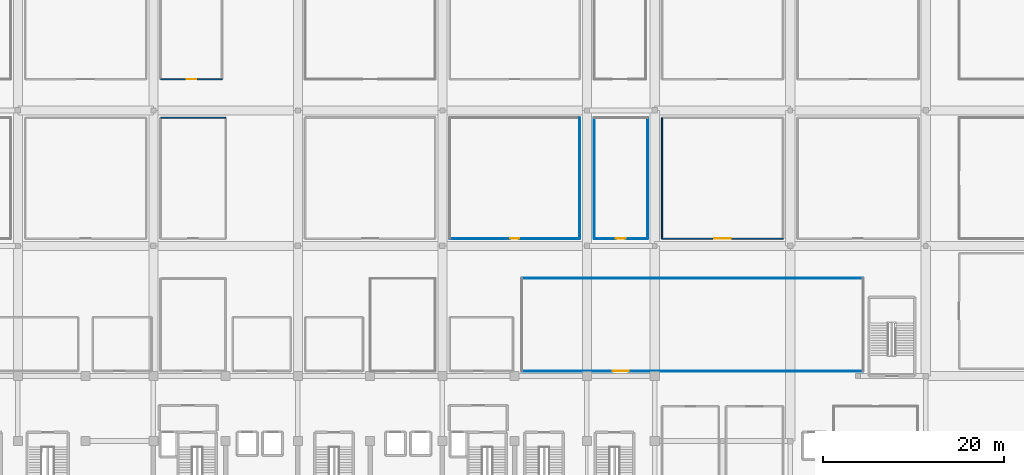
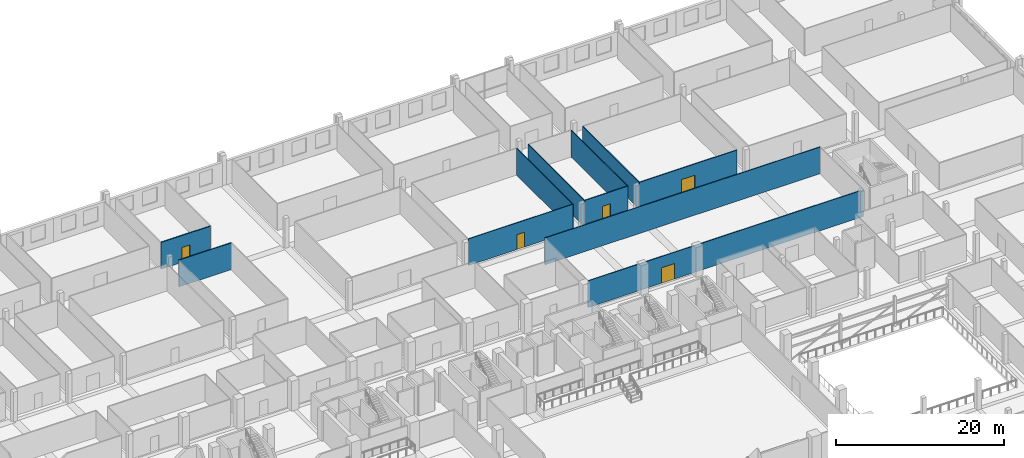
# One storey, part 50 of 68: 11 walls, 5 doors, 5 openings.
"""IFC4 building model written with IfcOpenShell, lengths in metres."""

from ifc_helpers import new_model, si_unit, direction, frame, frame_2d, origin, place, context, subcontext, project, spatial, rectangle, extrude, material, layer, layer_set, type_object, element, fill, save


model = new_model("IFC4")

# Units and contexts
model_context = context("Model", 3, precision=1e-05, world=origin(), true_north=direction((0.0, 1.0)))
body_context = subcontext(model_context, "Body", "Model", "MODEL_VIEW")
ifc_project = project(units=[si_unit("LENGTHUNIT", "METRE"), si_unit("AREAUNIT", "SQUARE_METRE"), si_unit("VOLUMEUNIT", "CUBIC_METRE"), si_unit("PLANEANGLEUNIT", "RADIAN"), si_unit("MASSUNIT", "GRAM", prefix="KILO")], contexts=[model_context])

# Site, building, storey
site_placement = place(None, origin())
site = spatial("IfcSite", under=ifc_project, at=site_placement, CompositionType="ELEMENT")
building_placement = place(site_placement, origin())
building = spatial("IfcBuilding", under=site, at=building_placement, Name="Akrevak Sports Hall", CompositionType="ELEMENT")
storey_placement = place(building_placement, frame((0.0, 0.0, 9.39990234375)))
storey = spatial("IfcBuildingStorey", under=building, at=storey_placement, Name="L02", CompositionType="ELEMENT", Elevation=9.39990234375)

# Wall, opening, door
ifc_material_1 = material(Name="Sanitary Cubicle Partition", Category="gypsum")
ifc_layer_1 = layer(ifc_material_1, 0.10009765625, Name="Sanitary Cubicle Partition")
ifc_layer_set_1 = layer_set([ifc_layer_1], Name="Sanitary Cubicle Partition")
wall_type_1 = type_object("IfcWallType", Name="ARC-WL-PRT-100", PredefinedType="PARTITIONING", material=ifc_layer_set_1)
wall_1_placement = place(storey_placement, frame((92.800048828125, 84.800048828125, 0.0), z_axis=(0.0, 0.0, 1.0), x_axis=(1.0, 0.0, 0.0)))
wall_1 = element("IfcWall", 1, at=wall_1_placement, inside=storey, type_object=wall_type_1, Name="Interior Partition Sports Federation Training Office L02-8 (S)", PredefinedType="PARTITIONING", context=body_context, shape_type="SweptSolid", body=[
    extrude(rectangle(XDim=14.39990234375, YDim=0.10009765625, at=frame_2d((7.199951171875, 0.0))), origin(), (0.0, 0.0, 1.0), 3.880126953125),
])
opening_1_placement = place(wall_1_placement, frame((6.699951171875, 0.0, 0.0)))
opening_1 = element("IfcOpeningElement", 2, at=opening_1_placement, cuts=wall_1, Name="Opening ID-06", PredefinedType="OPENING", context=body_context, shape_type="SweptSolid", body=[
    extrude(rectangle(XDim=1.0, YDim=2.14990234375, at=frame_2d((0.5, 1.074951171875))), frame((0.0, 0.06201171875, 0.0), z_axis=(0.0, -1.0, 0.0), x_axis=(1.0, 0.0, 0.0)), (0.0, 0.0, 1.0), 0.1240234375),
])
ifc_material_2 = material(Name="Hardwood Oak Acoustic Leaf", Category="wood")
door_type_1 = type_object("IfcDoorType", Name="ARC-DR-OFF-100x215", OperationType="NOTDEFINED", PredefinedType="DOOR", material=ifc_material_2)
door_1_placement = place(opening_1_placement, frame((1.0, 0.0, 0.0), z_axis=(0.0, 0.0, 1.0), x_axis=(-1.0, 0.0, 0.0)))
door_1 = element("IfcDoor", 3, at=door_1_placement, inside=storey, type_object=door_type_1, Name="Door to Sports Federation Training Office L02-8", OperationType="SINGLE_SWING_RIGHT", OverallHeight=2.14990234375, OverallWidth=1.0, PredefinedType="DOOR", context=body_context, shape_type="SweptSolid", body=[
    extrude(rectangle(XDim=1.0, YDim=2.14990234375, at=frame_2d((0.5, 1.074951171875))), frame((0.0, 0.02490234375, 0.0), z_axis=(0.0, -1.0, 0.0), x_axis=(1.0, 0.0, 0.0)), (0.0, 0.0, 1.0), 0.050048828125),
])
fill(opening_1, door_1)

# Wall
wall_2_placement = place(storey_placement, frame((107.199951171875, 84.800048828125, 0.0), z_axis=(0.0, 0.0, 1.0), x_axis=(0.0, 1.0, 0.0)))
element("IfcWall", 4, at=wall_2_placement, inside=storey, type_object=wall_type_1, Name="Interior Partition Sports Federation Training Office L02-8 (E)", PredefinedType="PARTITIONING", context=body_context, shape_type="SweptSolid", body=[
    extrude(rectangle(XDim=13.39990234375, YDim=0.10009765625, at=frame_2d((6.699951171875, 0.0))), origin(), (0.0, 0.0, 1.0), 3.880126953125),
])

# Wall, opening, door
ifc_material_3 = material(Name="Lightweight Office Partition", Category="gypsum")
ifc_layer_2 = layer(ifc_material_3, 0.110107421875, Name="Lightweight Office Partition")
ifc_layer_set_2 = layer_set([ifc_layer_2], Name="Lightweight Office Partition")
wall_type_2 = type_object("IfcWallType", Name="ARC-WL-PRT-110", PredefinedType="PARTITIONING", material=ifc_layer_set_2)
wall_3_placement = place(storey_placement, frame((108.800048828125, 84.800048828125, 0.0), z_axis=(0.0, 0.0, 1.0), x_axis=(1.0, 0.0, 0.0)))
wall_3 = element("IfcWall", 5, at=wall_3_placement, inside=storey, type_object=wall_type_2, Name="Interior Partition Sports Clinic Recovery & Physiotherapy Room L02-9 (S)", PredefinedType="PARTITIONING", context=body_context, shape_type="SweptSolid", body=[
    extrude(rectangle(XDim=5.89990234375, YDim=0.110107421875, at=frame_2d((2.949951171875, 0.0))), origin(), (0.0, 0.0, 1.0), 3.880126953125),
])
opening_2_placement = place(wall_3_placement, frame((2.39990234375, 0.0, 0.0)))
opening_2 = element("IfcOpeningElement", 6, at=opening_2_placement, cuts=wall_3, Name="Opening ID-04", PredefinedType="OPENING", context=body_context, shape_type="SweptSolid", body=[
    extrude(rectangle(XDim=1.10009765625, YDim=2.14990234375, at=frame_2d((0.550048828125, 1.074951171875))), frame((0.0, 0.06689453125, 0.0), z_axis=(0.0, -1.0, 0.0), x_axis=(1.0, 0.0, 0.0)), (0.0, 0.0, 1.0), 0.134033203125),
])
door_type_2 = type_object("IfcDoorType", Name="ARC-DR-OFF-110x215", OperationType="NOTDEFINED", PredefinedType="DOOR", material=ifc_material_2)
door_2_placement = place(opening_2_placement, origin())
door_2 = element("IfcDoor", 7, at=door_2_placement, inside=storey, type_object=door_type_2, Name="Door to Sports Clinic Recovery & Physiotherapy Room L02-9", OperationType="SINGLE_SWING_LEFT", OverallHeight=2.14990234375, OverallWidth=1.10009765625, PredefinedType="DOOR", context=body_context, shape_type="SweptSolid", body=[
    extrude(rectangle(XDim=1.10009765625, YDim=2.14990234375, at=frame_2d((0.550048828125, 1.074951171875))), frame((0.0, 0.02490234375, 0.0), z_axis=(0.0, -1.0, 0.0), x_axis=(1.0, 0.0, 0.0)), (0.0, 0.0, 1.0), 0.050048828125),
])
fill(opening_2, door_2)

# Walls
for number, where, z_axis, x_axis, name in (
    (8, (108.800048828125, 84.800048828125, 0.0), (0.0, 0.0, 1.0), (0.0, 1.0, 0.0), "Interior Partition Sports Clinic Recovery & Physiotherapy Room L02-9 (W)"),
    (9, (114.699951171875, 84.800048828125, 0.0), (0.0, 0.0, 1.0), (0.0, 1.0, 0.0), "Interior Partition Sports Clinic Recovery & Physiotherapy Room L02-9 (E)"),
):
    element("IfcWall", number, at=place(storey_placement, frame(where, z_axis=z_axis, x_axis=x_axis)), inside=storey, type_object=wall_type_2, Name=name, PredefinedType="PARTITIONING", context=body_context, shape_type="SweptSolid", body=[
        extrude(rectangle(XDim=13.39990234375, YDim=0.110107421875, at=frame_2d((6.699951171875, 0.0))), origin(), (0.0, 0.0, 1.0), 3.880126953125),
    ])

# Wall, opening, door
wall_4_placement = place(storey_placement, frame((100.800048828125, 70.14990234375, 0.0), z_axis=(0.0, 0.0, 1.0), x_axis=(1.0, 0.0, 0.0)))
wall_4 = element("IfcWall", 10, at=wall_4_placement, inside=storey, type_object=wall_type_2, Name="Interior Partition Upper Equipment Storage L02-3 (S)", PredefinedType="PARTITIONING", context=body_context, shape_type="SweptSolid", body=[
    extrude(rectangle(XDim=37.800048828125, YDim=0.110107421875, at=frame_2d((18.89990234375, 0.0))), origin(), (0.0, 0.0, 1.0), 3.880126953125),
])
opening_3_placement = place(wall_4_placement, frame((10.050048828125, 0.0, 0.0)))
opening_3 = element("IfcOpeningElement", 11, at=opening_3_placement, cuts=wall_4, Name="Opening ID-02", PredefinedType="OPENING", context=body_context, shape_type="SweptSolid", body=[
    extrude(rectangle(XDim=1.800048828125, YDim=2.25, at=frame_2d((0.89990234375, 1.125))), frame((0.0, 0.06689453125, 0.0), z_axis=(0.0, -1.0, 0.0), x_axis=(1.0, 0.0, 0.0)), (0.0, 0.0, 1.0), 0.134033203125),
])
ifc_material_4 = material(Name="Hardwood Oak & Safety Glass", Category="wood")
door_type_3 = type_object("IfcDoorType", Name="ARC-DR-HALL-180x225", OperationType="DOUBLE_DOOR_SINGLE_SWING", PredefinedType="DOOR", material=ifc_material_4)
door_3_placement = place(opening_3_placement, origin())
door_3 = element("IfcDoor", 12, at=door_3_placement, inside=storey, type_object=door_type_3, Name="Door to Upper Equipment Storage L02-3", OperationType="DOUBLE_DOOR_SINGLE_SWING", OverallHeight=2.25, OverallWidth=1.800048828125, PredefinedType="DOOR", context=body_context, shape_type="SweptSolid", body=[
    extrude(rectangle(XDim=1.800048828125, YDim=2.25, at=frame_2d((0.89990234375, 1.125))), frame((0.0, 0.02490234375, 0.0), z_axis=(0.0, -1.0, 0.0), x_axis=(1.0, 0.0, 0.0)), (0.0, 0.0, 1.0), 0.050048828125),
])
fill(opening_3, door_3)

# Wall
wall_5_placement = place(storey_placement, frame((100.800048828125, 80.39990234375, 0.0), z_axis=(0.0, 0.0, 1.0), x_axis=(1.0, 0.0, 0.0)))
element("IfcWall", 13, at=wall_5_placement, inside=storey, type_object=wall_type_2, Name="Interior Partition Upper Equipment Storage L02-3 (N)", PredefinedType="PARTITIONING", context=body_context, shape_type="SweptSolid", body=[
    extrude(rectangle(XDim=37.800048828125, YDim=0.110107421875, at=frame_2d((18.89990234375, 0.0))), origin(), (0.0, 0.0, 1.0), 3.880126953125),
])

# Wall, opening, door
ifc_material_5 = material(Name="Standard Metal Stud Partition", Category="gypsum")
ifc_layer_3 = layer(ifc_material_5, 0.1201171875, Name="Standard Metal Stud Partition")
ifc_layer_set_3 = layer_set([ifc_layer_3], Name="Standard Metal Stud Partition")
wall_type_3 = type_object("IfcWallType", Name="ARC-WL-PRT-120", PredefinedType="PARTITIONING", material=ifc_layer_set_3)
wall_6_placement = place(storey_placement, frame((116.300048828125, 84.800048828125, 0.0), z_axis=(0.0, 0.0, 1.0), x_axis=(1.0, 0.0, 0.0)))
wall_6 = element("IfcWall", 14, at=wall_6_placement, inside=storey, type_object=wall_type_3, Name="Interior Partition Athletic Gear & Equipment Storage L02-10 (S)", PredefinedType="PARTITIONING", context=body_context, shape_type="SweptSolid", body=[
    extrude(rectangle(XDim=13.39990234375, YDim=0.1201171875, at=frame_2d((6.699951171875, 0.0))), origin(), (0.0, 0.0, 1.0), 3.880126953125),
])
opening_4_placement = place(wall_6_placement, frame((5.800048828125, 0.0, 0.0)))
opening_4 = element("IfcOpeningElement", 15, at=opening_4_placement, cuts=wall_6, Name="Opening ID-02", PredefinedType="OPENING", context=body_context, shape_type="SweptSolid", body=[
    extrude(rectangle(XDim=1.800048828125, YDim=2.25, at=frame_2d((0.89990234375, 1.125))), frame((0.0, 0.072021484375, 0.0), z_axis=(0.0, -1.0, 0.0), x_axis=(1.0, 0.0, 0.0)), (0.0, 0.0, 1.0), 0.14404296875),
])
door_4_placement = place(opening_4_placement, origin())
door_4 = element("IfcDoor", 16, at=door_4_placement, inside=storey, type_object=door_type_3, Name="Door to Athletic Gear & Equipment Storage L02-10", OperationType="DOUBLE_DOOR_SINGLE_SWING", OverallHeight=2.25, OverallWidth=1.800048828125, PredefinedType="DOOR", context=body_context, shape_type="SweptSolid", body=[
    extrude(rectangle(XDim=1.800048828125, YDim=2.25, at=frame_2d((0.89990234375, 1.125))), frame((0.0, 0.02490234375, 0.0), z_axis=(0.0, -1.0, 0.0), x_axis=(1.0, 0.0, 0.0)), (0.0, 0.0, 1.0), 0.050048828125),
])
fill(opening_4, door_4)

# Walls
wall_7_placement = place(storey_placement, frame((116.300048828125, 84.800048828125, 0.0), z_axis=(0.0, 0.0, 1.0), x_axis=(0.0, 1.0, 0.0)))
element("IfcWall", 17, at=wall_7_placement, inside=storey, type_object=wall_type_3, Name="Interior Partition Athletic Gear & Equipment Storage L02-10 (W)", PredefinedType="PARTITIONING", context=body_context, shape_type="SweptSolid", body=[
    extrude(rectangle(XDim=13.39990234375, YDim=0.1201171875, at=frame_2d((6.699951171875, 0.0))), origin(), (0.0, 0.0, 1.0), 3.880126953125),
])
ifc_material_6 = material(Name="Acoustic Metal Stud Partition", Category="gypsum")
ifc_layer_4 = layer(ifc_material_6, 0.1298828125, Name="Acoustic Metal Stud Partition")
ifc_layer_set_4 = layer_set([ifc_layer_4], Name="Acoustic Metal Stud Partition")
wall_type_4 = type_object("IfcWallType", Name="ARC-WL-PRT-130", PredefinedType="PARTITIONING", material=ifc_layer_set_4)
wall_8_placement = place(storey_placement, frame((60.800048828125, 98.199951171875, 0.0), z_axis=(0.0, 0.0, 1.0), x_axis=(1.0, 0.0, 0.0)))
element("IfcWall", 18, at=wall_8_placement, inside=storey, type_object=wall_type_4, Name="Interior Partition Sports Clinic Recovery & Physiotherapy Room L02-6 (N)", PredefinedType="PARTITIONING", context=body_context, shape_type="SweptSolid", body=[
    extrude(rectangle(XDim=7.199951171875, YDim=0.1298828125, at=frame_2d((3.60009765625, 0.0))), origin(), (0.0, 0.0, 1.0), 3.880126953125),
])

# Wall, opening, door
ifc_material_7 = material(Name="Double Stud Acoustic Gypsum Partition", Category="gypsum")
ifc_layer_5 = layer(ifc_material_7, 0.14990234375, Name="Double Stud Acoustic Gypsum Partition")
ifc_layer_set_5 = layer_set([ifc_layer_5], Name="Double Stud Acoustic Gypsum Partition")
wall_type_5 = type_object("IfcWallType", Name="ARC-WL-PRT-150", PredefinedType="PARTITIONING", material=ifc_layer_set_5)
wall_9_placement = place(storey_placement, frame((60.800048828125, 102.449951171875, 0.0), z_axis=(0.0, 0.0, 1.0), x_axis=(1.0, 0.0, 0.0)))
wall_9 = element("IfcWall", 19, at=wall_9_placement, inside=storey, type_object=wall_type_5, Name="Interior Partition Federation Officiating & Records Office L02-6 (S)", PredefinedType="PARTITIONING", context=body_context, shape_type="SweptSolid", body=[
    extrude(rectangle(XDim=6.800048828125, YDim=0.14990234375, at=frame_2d((3.39990234375, 0.0))), origin(), (0.0, 0.0, 1.0), 3.880126953125),
])
opening_5_placement = place(wall_9_placement, frame((2.875, 0.0, 0.0)))
opening_5 = element("IfcOpeningElement", 20, at=opening_5_placement, cuts=wall_9, Name="Opening ID-05", PredefinedType="OPENING", context=body_context, shape_type="SweptSolid", body=[
    extrude(rectangle(XDim=1.050048828125, YDim=2.14990234375, at=frame_2d((0.52490234375, 1.074951171875))), frame((0.0, 0.0869140625, 0.0), z_axis=(0.0, -1.0, 0.0), x_axis=(1.0, 0.0, 0.0)), (0.0, 0.0, 1.0), 0.173828125),
])
door_type_4 = type_object("IfcDoorType", Name="ARC-DR-OFF-105x215", OperationType="NOTDEFINED", PredefinedType="DOOR", material=ifc_material_2)
door_5_placement = place(opening_5_placement, origin())
door_5 = element("IfcDoor", 21, at=door_5_placement, inside=storey, type_object=door_type_4, Name="Door to Federation Officiating & Records Office L02-6", OperationType="SINGLE_SWING_LEFT", OverallHeight=2.14990234375, OverallWidth=1.050048828125, PredefinedType="DOOR", context=body_context, shape_type="SweptSolid", body=[
    extrude(rectangle(XDim=1.050048828125, YDim=2.14990234375, at=frame_2d((0.52490234375, 1.074951171875))), frame((0.0, 0.02490234375, 0.0), z_axis=(0.0, -1.0, 0.0), x_axis=(1.0, 0.0, 0.0)), (0.0, 0.0, 1.0), 0.050048828125),
])
fill(opening_5, door_5)

save(model, "model.ifc")
